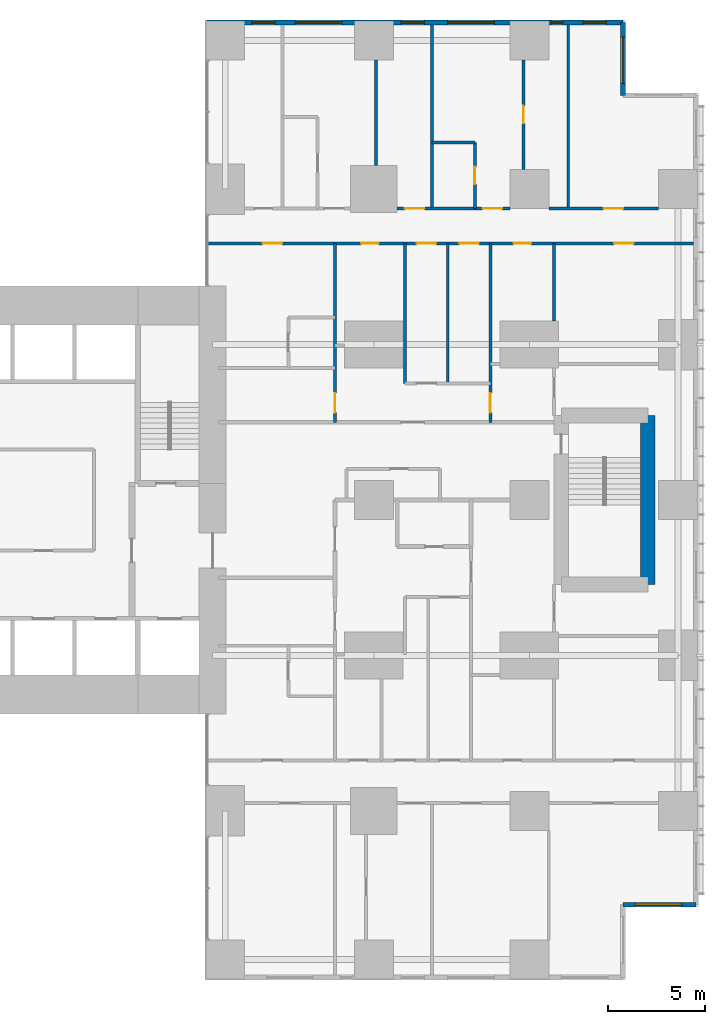
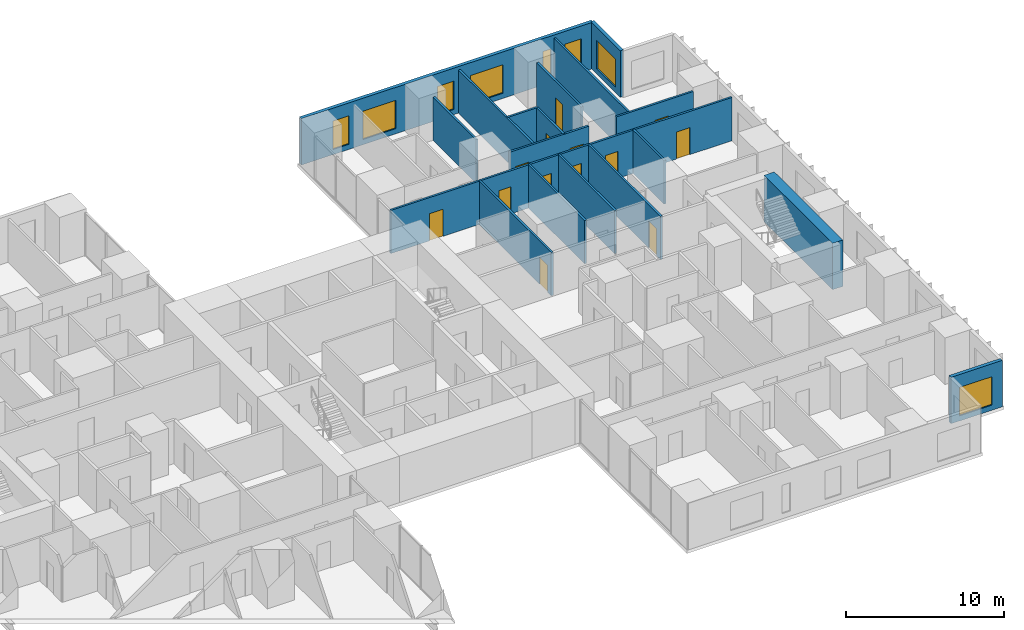
# One storey, part 18 of 20: 18 walls, 13 doors, 8 windows, 21 openings.
"""IFC4 building model written with IfcOpenShell, lengths in metres."""

from ifc_helpers import new_model, si_unit, direction, frame, frame_2d, origin, place, context, subcontext, project, spatial, rectangle, extrude, material, layer, layer_set, type_object, element, fill, save


model = new_model("IFC4")

# Units and contexts
model_context = context("Model", 3, precision=1e-05, world=origin(), true_north=direction((0.0, 1.0)))
body_context = subcontext(model_context, "Body", "Model", "MODEL_VIEW")
ifc_project = project(units=[si_unit("LENGTHUNIT", "METRE"), si_unit("AREAUNIT", "SQUARE_METRE"), si_unit("VOLUMEUNIT", "CUBIC_METRE"), si_unit("PLANEANGLEUNIT", "RADIAN"), si_unit("MASSUNIT", "GRAM", prefix="KILO")], contexts=[model_context])

# Site, building, storey
site_placement = place(None, origin())
site = spatial("IfcSite", under=ifc_project, at=site_placement, CompositionType="ELEMENT")
building_placement = place(site_placement, origin())
building = spatial("IfcBuilding", under=site, at=building_placement, Name="Cleftline Residences", CompositionType="ELEMENT")
storey_placement = place(building_placement, frame((0.0, 0.0, 150.199951171875)))
storey = spatial("IfcBuildingStorey", under=building, at=storey_placement, Name="L39", CompositionType="ELEMENT", Elevation=150.199951171875)

# Wall, opening, window
ifc_material_1 = material(Name="Rendered reinforced concrete blockwork", Category="masonry")
ifc_layer_1 = layer(ifc_material_1, 0.25)
ifc_layer_set_1 = layer_set([ifc_layer_1], Name="EXTERNAL WALL 250")
wall_type_1 = type_object("IfcWallType", Name="EXTERNAL WALL 250", PredefinedType="SOLIDWALL", material=ifc_layer_set_1)
wall_1_placement = place(storey_placement, frame((62.824951171875, 3.175048828125, 0.0), z_axis=(0.0, 0.0, 1.0), x_axis=(1.0, 0.0, 0.0)))
wall_1 = element("IfcWall", 1, at=wall_1_placement, inside=storey, type_object=wall_type_1, Name="External wall", PredefinedType="SOLIDWALL", context=body_context, shape_type="SweptSolid", body=[
    extrude(rectangle(XDim=3.75, YDim=0.25, at=frame_2d((1.875, 0.0))), origin(), (0.0, 0.0, 1.0), 3.60009765625),
])
opening_1_placement = place(wall_1_placement, frame((0.612548828125, 0.0, 0.39990234375)))
opening_1 = element("IfcOpeningElement", 2, at=opening_1_placement, cuts=wall_1, Name="Opening W12", PredefinedType="OPENING", context=body_context, shape_type="SweptSolid", body=[
    extrude(rectangle(XDim=2.39990234375, YDim=2.199951171875, at=frame_2d((1.199951171875, 1.10009765625))), frame((0.0, 0.135009765625, 0.0), z_axis=(0.0, -1.0, 0.0), x_axis=(1.0, 0.0, 0.0)), (0.0, 0.0, 1.0), 0.27001953125),
])
ifc_material_2 = material(Name="Aluminium frame, clear double glazing", Category="aluminium")
window_type_1 = type_object("IfcWindowType", Name="WINDOW 2400X2200", PartitioningType="DOUBLE_PANEL_VERTICAL", PredefinedType="WINDOW", material=ifc_material_2)
window_1_placement = place(opening_1_placement, origin())
window_1 = element("IfcWindow", 3, at=window_1_placement, inside=storey, type_object=window_type_1, Name="Window", OverallHeight=2.199951171875, OverallWidth=2.39990234375, PartitioningType="SINGLE_PANEL", PredefinedType="WINDOW", context=body_context, shape_type="SweptSolid", body=[
    extrude(rectangle(XDim=2.39990234375, YDim=2.199951171875, at=frame_2d((1.199951171875, 1.10009765625))), frame((0.0, 0.030029296875, 0.0), z_axis=(0.0, -1.0, 0.0), x_axis=(1.0, 0.0, 0.0)), (0.0, 0.0, 1.0), 0.06005859375),
])
fill(opening_1, window_1)

wall_2_placement = place(storey_placement, frame((62.824951171875, 44.824951171875, 0.0), z_axis=(0.0, 0.0, 1.0), x_axis=(0.0, 1.0, 0.0)))
wall_2 = element("IfcWall", 4, at=wall_2_placement, inside=storey, type_object=wall_type_1, Name="External wall", PredefinedType="SOLIDWALL", context=body_context, shape_type="SweptSolid", body=[
    extrude(rectangle(XDim=3.75, YDim=0.25, at=frame_2d((1.875, 0.0))), origin(), (0.0, 0.0, 1.0), 3.60009765625),
])
opening_2_placement = place(wall_2_placement, frame((0.612548828125, 0.0, 0.39990234375)))
opening_2 = element("IfcOpeningElement", 5, at=opening_2_placement, cuts=wall_2, Name="Opening W12", PredefinedType="OPENING", context=body_context, shape_type="SweptSolid", body=[
    extrude(rectangle(XDim=2.39990234375, YDim=2.199951171875, at=frame_2d((1.199951171875, 1.10009765625))), frame((0.0, 0.135009765625, 0.0), z_axis=(0.0, -1.0, 0.0), x_axis=(1.0, 0.0, 0.0)), (0.0, 0.0, 1.0), 0.27001953125),
])
window_2_placement = place(opening_2_placement, origin())
window_2 = element("IfcWindow", 6, at=window_2_placement, inside=storey, type_object=window_type_1, Name="Window", OverallHeight=2.199951171875, OverallWidth=2.39990234375, PartitioningType="SINGLE_PANEL", PredefinedType="WINDOW", context=body_context, shape_type="SweptSolid", body=[
    extrude(rectangle(XDim=2.39990234375, YDim=2.199951171875, at=frame_2d((1.199951171875, 1.10009765625))), frame((0.0, 0.030029296875, 0.0), z_axis=(0.0, -1.0, 0.0), x_axis=(1.0, 0.0, 0.0)), (0.0, 0.0, 1.0), 0.06005859375),
])
fill(opening_2, window_2)

# Wall, openings, windows
wall_3_placement = place(storey_placement, frame((62.824951171875, 48.574951171875, 0.0), z_axis=(0.0, 0.0, 1.0), x_axis=(-1.0, 0.0, 0.0)))
wall_3 = element("IfcWall", 7, at=wall_3_placement, inside=storey, type_object=wall_type_1, Name="External wall", PredefinedType="SOLIDWALL", context=body_context, shape_type="SweptSolid", body=[
    extrude(rectangle(XDim=21.39990234375, YDim=0.25, at=frame_2d((10.699951171875, 0.0))), origin(), (0.0, 0.0, 1.0), 3.60009765625),
])
opening_3_placement = place(wall_3_placement, frame((0.875, 0.0, 0.39990234375)))
opening_3 = element("IfcOpeningElement", 8, at=opening_3_placement, cuts=wall_3, Name="Opening W11", PredefinedType="OPENING", context=body_context, shape_type="SweptSolid", body=[
    extrude(rectangle(XDim=1.199951171875, YDim=2.199951171875, at=frame_2d((0.60009765625, 1.10009765625))), frame((0.0, 0.135009765625, 0.0), z_axis=(0.0, -1.0, 0.0), x_axis=(1.0, 0.0, 0.0)), (0.0, 0.0, 1.0), 0.27001953125),
])
opening_4_placement = place(wall_3_placement, frame((3.10009765625, 0.0, 0.39990234375)))
opening_4 = element("IfcOpeningElement", 9, at=opening_4_placement, cuts=wall_3, Name="Opening W10", PredefinedType="OPENING", context=body_context, shape_type="SweptSolid", body=[
    extrude(rectangle(XDim=0.60009765625, YDim=2.199951171875, at=frame_2d((0.300048828125, 1.10009765625))), frame((0.0, 0.135009765625, 0.0), z_axis=(0.0, -1.0, 0.0), x_axis=(1.0, 0.0, 0.0)), (0.0, 0.0, 1.0), 0.27001953125),
])
opening_5_placement = place(wall_3_placement, frame((6.625, 0.0, 0.39990234375)))
opening_5 = element("IfcOpeningElement", 10, at=opening_5_placement, cuts=wall_3, Name="Opening W12", PredefinedType="OPENING", context=body_context, shape_type="SweptSolid", body=[
    extrude(rectangle(XDim=2.39990234375, YDim=2.199951171875, at=frame_2d((1.199951171875, 1.10009765625))), frame((0.0, 0.135009765625, 0.0), z_axis=(0.0, -1.0, 0.0), x_axis=(1.0, 0.0, 0.0)), (0.0, 0.0, 1.0), 0.27001953125),
])
opening_6_placement = place(wall_3_placement, frame((10.22509765625, 0.0, 0.39990234375)))
opening_6 = element("IfcOpeningElement", 11, at=opening_6_placement, cuts=wall_3, Name="Opening W11", PredefinedType="OPENING", context=body_context, shape_type="SweptSolid", body=[
    extrude(rectangle(XDim=1.199951171875, YDim=2.199951171875, at=frame_2d((0.60009765625, 1.10009765625))), frame((0.0, 0.135009765625, 0.0), z_axis=(0.0, -1.0, 0.0), x_axis=(1.0, 0.0, 0.0)), (0.0, 0.0, 1.0), 0.27001953125),
])
opening_7_placement = place(wall_3_placement, frame((14.47509765625, 0.0, 0.39990234375)))
opening_7 = element("IfcOpeningElement", 12, at=opening_7_placement, cuts=wall_3, Name="Opening W12", PredefinedType="OPENING", context=body_context, shape_type="SweptSolid", body=[
    extrude(rectangle(XDim=2.39990234375, YDim=2.199951171875, at=frame_2d((1.199951171875, 1.10009765625))), frame((0.0, 0.135009765625, 0.0), z_axis=(0.0, -1.0, 0.0), x_axis=(1.0, 0.0, 0.0)), (0.0, 0.0, 1.0), 0.27001953125),
])
opening_8_placement = place(wall_3_placement, frame((17.89990234375, 0.0, 0.39990234375)))
opening_8 = element("IfcOpeningElement", 13, at=opening_8_placement, cuts=wall_3, Name="Opening W11", PredefinedType="OPENING", context=body_context, shape_type="SweptSolid", body=[
    extrude(rectangle(XDim=1.199951171875, YDim=2.199951171875, at=frame_2d((0.60009765625, 1.10009765625))), frame((0.0, 0.135009765625, 0.0), z_axis=(0.0, -1.0, 0.0), x_axis=(1.0, 0.0, 0.0)), (0.0, 0.0, 1.0), 0.27001953125),
])
ifc_material_3 = material(Name="Aluminium frame, clear double glazing", Category="aluminium")
window_type_2 = type_object("IfcWindowType", Name="WINDOW 1200X2200", PartitioningType="DOUBLE_PANEL_VERTICAL", PredefinedType="WINDOW", material=ifc_material_3)
window_3_placement = place(opening_3_placement, origin())
window_3 = element("IfcWindow", 14, at=window_3_placement, inside=storey, type_object=window_type_2, Name="Window", OverallHeight=2.199951171875, OverallWidth=1.199951171875, PartitioningType="SINGLE_PANEL", PredefinedType="WINDOW", context=body_context, shape_type="SweptSolid", body=[
    extrude(rectangle(XDim=1.199951171875, YDim=2.199951171875, at=frame_2d((0.60009765625, 1.10009765625))), frame((0.0, 0.030029296875, 0.0), z_axis=(0.0, -1.0, 0.0), x_axis=(1.0, 0.0, 0.0)), (0.0, 0.0, 1.0), 0.06005859375),
])
fill(opening_3, window_3)
window_4_placement = place(opening_6_placement, origin())
window_4 = element("IfcWindow", 15, at=window_4_placement, inside=storey, type_object=window_type_2, Name="Window", OverallHeight=2.199951171875, OverallWidth=1.199951171875, PartitioningType="SINGLE_PANEL", PredefinedType="WINDOW", context=body_context, shape_type="SweptSolid", body=[
    extrude(rectangle(XDim=1.199951171875, YDim=2.199951171875, at=frame_2d((0.60009765625, 1.10009765625))), frame((0.0, 0.030029296875, 0.0), z_axis=(0.0, -1.0, 0.0), x_axis=(1.0, 0.0, 0.0)), (0.0, 0.0, 1.0), 0.06005859375),
])
fill(opening_6, window_4)
window_5_placement = place(opening_8_placement, origin())
window_5 = element("IfcWindow", 16, at=window_5_placement, inside=storey, type_object=window_type_2, Name="Window", OverallHeight=2.199951171875, OverallWidth=1.199951171875, PartitioningType="SINGLE_PANEL", PredefinedType="WINDOW", context=body_context, shape_type="SweptSolid", body=[
    extrude(rectangle(XDim=1.199951171875, YDim=2.199951171875, at=frame_2d((0.60009765625, 1.10009765625))), frame((0.0, 0.030029296875, 0.0), z_axis=(0.0, -1.0, 0.0), x_axis=(1.0, 0.0, 0.0)), (0.0, 0.0, 1.0), 0.06005859375),
])
fill(opening_8, window_5)
window_6_placement = place(opening_5_placement, origin())
window_6 = element("IfcWindow", 17, at=window_6_placement, inside=storey, type_object=window_type_1, Name="Window", OverallHeight=2.199951171875, OverallWidth=2.39990234375, PartitioningType="SINGLE_PANEL", PredefinedType="WINDOW", context=body_context, shape_type="SweptSolid", body=[
    extrude(rectangle(XDim=2.39990234375, YDim=2.199951171875, at=frame_2d((1.199951171875, 1.10009765625))), frame((0.0, 0.030029296875, 0.0), z_axis=(0.0, -1.0, 0.0), x_axis=(1.0, 0.0, 0.0)), (0.0, 0.0, 1.0), 0.06005859375),
])
fill(opening_5, window_6)
window_7_placement = place(opening_7_placement, origin())
window_7 = element("IfcWindow", 18, at=window_7_placement, inside=storey, type_object=window_type_1, Name="Window", OverallHeight=2.199951171875, OverallWidth=2.39990234375, PartitioningType="SINGLE_PANEL", PredefinedType="WINDOW", context=body_context, shape_type="SweptSolid", body=[
    extrude(rectangle(XDim=2.39990234375, YDim=2.199951171875, at=frame_2d((1.199951171875, 1.10009765625))), frame((0.0, 0.030029296875, 0.0), z_axis=(0.0, -1.0, 0.0), x_axis=(1.0, 0.0, 0.0)), (0.0, 0.0, 1.0), 0.06005859375),
])
fill(opening_7, window_7)
ifc_material_4 = material(Name="Aluminium frame, clear double glazing", Category="aluminium")
window_type_3 = type_object("IfcWindowType", Name="WINDOW 600X2200", PartitioningType="DOUBLE_PANEL_VERTICAL", PredefinedType="WINDOW", material=ifc_material_4)
window_8_placement = place(opening_4_placement, origin())
window_8 = element("IfcWindow", 19, at=window_8_placement, inside=storey, type_object=window_type_3, Name="Window", OverallHeight=2.199951171875, OverallWidth=0.60009765625, PartitioningType="SINGLE_PANEL", PredefinedType="WINDOW", context=body_context, shape_type="SweptSolid", body=[
    extrude(rectangle(XDim=0.60009765625, YDim=2.199951171875, at=frame_2d((0.300048828125, 1.10009765625))), frame((0.0, 0.030029296875, 0.0), z_axis=(0.0, -1.0, 0.0), x_axis=(1.0, 0.0, 0.0)), (0.0, 0.0, 1.0), 0.06005859375),
])
fill(opening_4, window_8)

# Wall, openings, doors
ifc_material_5 = material(Name="Gypsum board on steel studs", Category="steel")
ifc_layer_2 = layer(ifc_material_5, 0.14990234375)
ifc_layer_set_2 = layer_set([ifc_layer_2], Name="PARTITION 150")
wall_type_2 = type_object("IfcWallType", Name="PARTITION 150", PredefinedType="PARTITIONING", material=ifc_layer_set_2)
wall_4_placement = place(storey_placement, frame((41.43896484375, 37.199951171875, 0.0), z_axis=(0.0, 0.0, 1.0), x_axis=(1.0, 0.0, 0.0)))
wall_4 = element("IfcWall", 20, at=wall_4_placement, inside=storey, type_object=wall_type_2, Name="Partition", PredefinedType="PARTITIONING", context=body_context, shape_type="SweptSolid", body=[
    extrude(rectangle(XDim=25.010986328125, YDim=0.14990234375, at=frame_2d((12.50537109375, 0.0))), origin(), (0.0, 0.0, 1.0), 3.35009765625),
])
opening_9_placement = place(wall_4_placement, frame((10.760986328125, 0.0, 0.0)))
opening_9 = element("IfcOpeningElement", 21, at=opening_9_placement, cuts=wall_4, Name="Opening D2", PredefinedType="OPENING", context=body_context, shape_type="SweptSolid", body=[
    extrude(rectangle(XDim=1.0, YDim=2.10009765625, at=frame_2d((0.5, 1.050048828125))), frame((0.0, 0.0849609375, 0.0), z_axis=(0.0, -1.0, 0.0), x_axis=(1.0, 0.0, 0.0)), (0.0, 0.0, 1.0), 0.169921875),
])
opening_10_placement = place(wall_4_placement, frame((20.923583984375, 0.0, 0.0)))
opening_10 = element("IfcOpeningElement", 22, at=opening_10_placement, cuts=wall_4, Name="Opening D2", PredefinedType="OPENING", context=body_context, shape_type="SweptSolid", body=[
    extrude(rectangle(XDim=1.0, YDim=2.10009765625, at=frame_2d((0.5, 1.050048828125))), frame((0.0, 0.0849609375, 0.0), z_axis=(0.0, -1.0, 0.0), x_axis=(1.0, 0.0, 0.0)), (0.0, 0.0, 1.0), 0.169921875),
])
opening_11_placement = place(wall_4_placement, frame((15.74853515625, 0.0, 0.0)))
opening_11 = element("IfcOpeningElement", 23, at=opening_11_placement, cuts=wall_4, Name="Opening D1", PredefinedType="OPENING", context=body_context, shape_type="SweptSolid", body=[
    extrude(rectangle(XDim=0.89990234375, YDim=2.10009765625, at=frame_2d((0.449951171875, 1.050048828125))), frame((0.0, 0.0849609375, 0.0), z_axis=(0.0, -1.0, 0.0), x_axis=(1.0, 0.0, 0.0)), (0.0, 0.0, 1.0), 0.169921875),
])
opening_12_placement = place(wall_4_placement, frame((12.9609375, 0.0, 0.0)))
opening_12 = element("IfcOpeningElement", 24, at=opening_12_placement, cuts=wall_4, Name="Opening D2", PredefinedType="OPENING", context=body_context, shape_type="SweptSolid", body=[
    extrude(rectangle(XDim=1.0, YDim=2.10009765625, at=frame_2d((0.5, 1.050048828125))), frame((0.0, 0.0849609375, 0.0), z_axis=(0.0, -1.0, 0.0), x_axis=(1.0, 0.0, 0.0)), (0.0, 0.0, 1.0), 0.169921875),
])
opening_13_placement = place(wall_4_placement, frame((7.910888671875, 0.0, 0.0)))
opening_13 = element("IfcOpeningElement", 25, at=opening_13_placement, cuts=wall_4, Name="Opening D1", PredefinedType="OPENING", context=body_context, shape_type="SweptSolid", body=[
    extrude(rectangle(XDim=0.89990234375, YDim=2.10009765625, at=frame_2d((0.449951171875, 1.050048828125))), frame((0.0, 0.0849609375, 0.0), z_axis=(0.0, -1.0, 0.0), x_axis=(1.0, 0.0, 0.0)), (0.0, 0.0, 1.0), 0.169921875),
])
opening_14_placement = place(wall_4_placement, frame((2.8359375, 0.0, 0.0)))
opening_14 = element("IfcOpeningElement", 26, at=opening_14_placement, cuts=wall_4, Name="Opening D2", PredefinedType="OPENING", context=body_context, shape_type="SweptSolid", body=[
    extrude(rectangle(XDim=1.0, YDim=2.10009765625, at=frame_2d((0.5, 1.050048828125))), frame((0.0, 0.0849609375, 0.0), z_axis=(0.0, -1.0, 0.0), x_axis=(1.0, 0.0, 0.0)), (0.0, 0.0, 1.0), 0.169921875),
])
ifc_material_6 = material(Name="Timber veneer on solid core", Category="wood")
door_type_1 = type_object("IfcDoorType", Name="DOOR 1000X2100", OperationType="SINGLE_SWING_LEFT", PredefinedType="DOOR", material=ifc_material_6)
door_1_placement = place(opening_9_placement, origin())
door_1 = element("IfcDoor", 27, at=door_1_placement, inside=storey, type_object=door_type_1, Name="Door to residence hall", OperationType="SINGLE_SWING_RIGHT", OverallHeight=2.10009765625, OverallWidth=1.0, PredefinedType="DOOR", context=body_context, shape_type="SweptSolid", body=[
    extrude(rectangle(XDim=1.0, YDim=2.10009765625, at=frame_2d((0.5, 1.050048828125))), frame((0.0, 0.02490234375, 0.0), z_axis=(0.0, -1.0, 0.0), x_axis=(1.0, 0.0, 0.0)), (0.0, 0.0, 1.0), 0.050048828125),
])
fill(opening_9, door_1)
door_2_placement = place(opening_10_placement, origin())
door_2 = element("IfcDoor", 28, at=door_2_placement, inside=storey, type_object=door_type_1, Name="Door to master bedroom", OperationType="SINGLE_SWING_LEFT", OverallHeight=2.10009765625, OverallWidth=1.0, PredefinedType="DOOR", context=body_context, shape_type="SweptSolid", body=[
    extrude(rectangle(XDim=1.0, YDim=2.10009765625, at=frame_2d((0.5, 1.050048828125))), frame((0.0, 0.02490234375, 0.0), z_axis=(0.0, -1.0, 0.0), x_axis=(1.0, 0.0, 0.0)), (0.0, 0.0, 1.0), 0.050048828125),
])
fill(opening_10, door_2)
door_3_placement = place(opening_12_placement, origin())
door_3 = element("IfcDoor", 29, at=door_3_placement, inside=storey, type_object=door_type_1, Name="Door to family room", OperationType="SINGLE_SWING_LEFT", OverallHeight=2.10009765625, OverallWidth=1.0, PredefinedType="DOOR", context=body_context, shape_type="SweptSolid", body=[
    extrude(rectangle(XDim=1.0, YDim=2.10009765625, at=frame_2d((0.5, 1.050048828125))), frame((0.0, 0.02490234375, 0.0), z_axis=(0.0, -1.0, 0.0), x_axis=(1.0, 0.0, 0.0)), (0.0, 0.0, 1.0), 0.050048828125),
])
fill(opening_12, door_3)
door_4_placement = place(opening_14_placement, origin())
door_4 = element("IfcDoor", 30, at=door_4_placement, inside=storey, type_object=door_type_1, Name="Door to bedroom 4", OperationType="SINGLE_SWING_RIGHT", OverallHeight=2.10009765625, OverallWidth=1.0, PredefinedType="DOOR", context=body_context, shape_type="SweptSolid", body=[
    extrude(rectangle(XDim=1.0, YDim=2.10009765625, at=frame_2d((0.5, 1.050048828125))), frame((0.0, 0.02490234375, 0.0), z_axis=(0.0, -1.0, 0.0), x_axis=(1.0, 0.0, 0.0)), (0.0, 0.0, 1.0), 0.050048828125),
])
fill(opening_14, door_4)
ifc_material_7 = material(Name="Timber veneer on solid core", Category="wood")
door_type_2 = type_object("IfcDoorType", Name="DOOR 900X2100", OperationType="SINGLE_SWING_LEFT", PredefinedType="DOOR", material=ifc_material_7)
door_5_placement = place(opening_11_placement, origin())
door_5 = element("IfcDoor", 31, at=door_5_placement, inside=storey, type_object=door_type_2, Name="Door to master bathroom", OperationType="SINGLE_SWING_LEFT", OverallHeight=2.10009765625, OverallWidth=0.89990234375, PredefinedType="DOOR", context=body_context, shape_type="SweptSolid", body=[
    extrude(rectangle(XDim=0.89990234375, YDim=2.10009765625, at=frame_2d((0.449951171875, 1.050048828125))), frame((0.0, 0.02490234375, 0.0), z_axis=(0.0, -1.0, 0.0), x_axis=(1.0, 0.0, 0.0)), (0.0, 0.0, 1.0), 0.050048828125),
])
fill(opening_11, door_5)
door_6_placement = place(opening_13_placement, origin())
door_6 = element("IfcDoor", 32, at=door_6_placement, inside=storey, type_object=door_type_2, Name="Door to master dressing room", OperationType="SINGLE_SWING_RIGHT", OverallHeight=2.10009765625, OverallWidth=0.89990234375, PredefinedType="DOOR", context=body_context, shape_type="SweptSolid", body=[
    extrude(rectangle(XDim=0.89990234375, YDim=2.10009765625, at=frame_2d((0.449951171875, 1.050048828125))), frame((0.0, 0.02490234375, 0.0), z_axis=(0.0, -1.0, 0.0), x_axis=(1.0, 0.0, 0.0)), (0.0, 0.0, 1.0), 0.050048828125),
])
fill(opening_13, door_6)

wall_5_placement = place(storey_placement, frame((51.199951171875, 39.0, 0.0), z_axis=(0.0, 0.0, 1.0), x_axis=(1.0, 0.0, 0.0)))
wall_5 = element("IfcWall", 33, at=wall_5_placement, inside=storey, type_object=wall_type_2, Name="Partition", PredefinedType="PARTITIONING", context=body_context, shape_type="SweptSolid", body=[
    extrude(rectangle(XDim=5.800048828125, YDim=0.14990234375, at=frame_2d((2.89990234375, 0.0))), origin(), (0.0, 0.0, 1.0), 3.35009765625),
])
opening_15_placement = place(wall_5_placement, frame((4.39990234375, 0.0, 0.0)))
opening_15 = element("IfcOpeningElement", 34, at=opening_15_placement, cuts=wall_5, Name="Opening D2", PredefinedType="OPENING", context=body_context, shape_type="SweptSolid", body=[
    extrude(rectangle(XDim=1.0, YDim=2.10009765625, at=frame_2d((0.5, 1.050048828125))), frame((0.0, 0.0849609375, 0.0), z_axis=(0.0, -1.0, 0.0), x_axis=(1.0, 0.0, 0.0)), (0.0, 0.0, 1.0), 0.169921875),
])
opening_16_placement = place(wall_5_placement, frame((0.39990234375, 0.0, 0.0)))
opening_16 = element("IfcOpeningElement", 35, at=opening_16_placement, cuts=wall_5, Name="Opening D2", PredefinedType="OPENING", context=body_context, shape_type="SweptSolid", body=[
    extrude(rectangle(XDim=1.0, YDim=2.10009765625, at=frame_2d((0.5, 1.050048828125))), frame((0.0, 0.0849609375, 0.0), z_axis=(0.0, -1.0, 0.0), x_axis=(1.0, 0.0, 0.0)), (0.0, 0.0, 1.0), 0.169921875),
])
door_7_placement = place(opening_15_placement, origin())
door_7 = element("IfcDoor", 36, at=door_7_placement, inside=storey, type_object=door_type_1, Name="Door to bedroom 2", OperationType="SINGLE_SWING_LEFT", OverallHeight=2.10009765625, OverallWidth=1.0, PredefinedType="DOOR", context=body_context, shape_type="SweptSolid", body=[
    extrude(rectangle(XDim=1.0, YDim=2.10009765625, at=frame_2d((0.5, 1.050048828125))), frame((0.0, 0.02490234375, 0.0), z_axis=(0.0, -1.0, 0.0), x_axis=(1.0, 0.0, 0.0)), (0.0, 0.0, 1.0), 0.050048828125),
])
fill(opening_15, door_7)
door_8_placement = place(opening_16_placement, origin())
door_8 = element("IfcDoor", 37, at=door_8_placement, inside=storey, type_object=door_type_1, Name="Door to bedroom 3 sitting room", OperationType="SINGLE_SWING_RIGHT", OverallHeight=2.10009765625, OverallWidth=1.0, PredefinedType="DOOR", context=body_context, shape_type="SweptSolid", body=[
    extrude(rectangle(XDim=1.0, YDim=2.10009765625, at=frame_2d((0.5, 1.050048828125))), frame((0.0, 0.02490234375, 0.0), z_axis=(0.0, -1.0, 0.0), x_axis=(1.0, 0.0, 0.0)), (0.0, 0.0, 1.0), 0.050048828125),
])
fill(opening_16, door_8)

# Wall, opening, door
wall_6_placement = place(storey_placement, frame((59.0, 39.0, 0.0), z_axis=(0.0, 0.0, 1.0), x_axis=(1.0, 0.0, 0.0)))
wall_6 = element("IfcWall", 38, at=wall_6_placement, inside=storey, type_object=wall_type_2, Name="Partition", PredefinedType="PARTITIONING", context=body_context, shape_type="SweptSolid", body=[
    extrude(rectangle(XDim=5.64990234375, YDim=0.14990234375, at=frame_2d((2.824951171875, 0.0))), origin(), (0.0, 0.0, 1.0), 3.35009765625),
])
opening_17_placement = place(wall_6_placement, frame((2.824951171875, 0.0, 0.0)))
opening_17 = element("IfcOpeningElement", 39, at=opening_17_placement, cuts=wall_6, Name="Opening D2", PredefinedType="OPENING", context=body_context, shape_type="SweptSolid", body=[
    extrude(rectangle(XDim=1.0, YDim=2.10009765625, at=frame_2d((0.5, 1.050048828125))), frame((0.0, 0.0849609375, 0.0), z_axis=(0.0, -1.0, 0.0), x_axis=(1.0, 0.0, 0.0)), (0.0, 0.0, 1.0), 0.169921875),
])
door_9_placement = place(opening_17_placement, origin())
door_9 = element("IfcDoor", 40, at=door_9_placement, inside=storey, type_object=door_type_1, Name="Door to gym", OperationType="SINGLE_SWING_LEFT", OverallHeight=2.10009765625, OverallWidth=1.0, PredefinedType="DOOR", context=body_context, shape_type="SweptSolid", body=[
    extrude(rectangle(XDim=1.0, YDim=2.10009765625, at=frame_2d((0.5, 1.050048828125))), frame((0.0, 0.02490234375, 0.0), z_axis=(0.0, -1.0, 0.0), x_axis=(1.0, 0.0, 0.0)), (0.0, 0.0, 1.0), 0.050048828125),
])
fill(opening_17, door_9)

# Wall
wall_7_placement = place(storey_placement, frame((53.0, 42.39990234375, 0.0), z_axis=(0.0, 0.0, 1.0), x_axis=(1.0, 0.0, 0.0)))
element("IfcWall", 41, at=wall_7_placement, inside=storey, type_object=wall_type_2, Name="Partition", PredefinedType="PARTITIONING", context=body_context, shape_type="SweptSolid", body=[
    extrude(rectangle(XDim=2.199951171875, YDim=0.14990234375, at=frame_2d((1.10009765625, 0.0))), origin(), (0.0, 0.0, 1.0), 3.35009765625),
])

# Wall, opening, door
wall_8_placement = place(storey_placement, frame((48.0, 28.0, 0.0), z_axis=(0.0, 0.0, 1.0), x_axis=(0.0, 1.0, 0.0)))
wall_8 = element("IfcWall", 42, at=wall_8_placement, inside=storey, type_object=wall_type_2, Name="Partition", PredefinedType="PARTITIONING", context=body_context, shape_type="SweptSolid", body=[
    extrude(rectangle(XDim=9.199951171875, YDim=0.14990234375, at=frame_2d((4.60009765625, 0.0))), origin(), (0.0, 0.0, 1.0), 3.35009765625),
])
opening_18_placement = place(wall_8_placement, frame((0.5, 0.0, 0.0)))
opening_18 = element("IfcOpeningElement", 43, at=opening_18_placement, cuts=wall_8, Name="Opening D2", PredefinedType="OPENING", context=body_context, shape_type="SweptSolid", body=[
    extrude(rectangle(XDim=1.0, YDim=2.10009765625, at=frame_2d((0.5, 1.050048828125))), frame((0.0, 0.0849609375, 0.0), z_axis=(0.0, -1.0, 0.0), x_axis=(1.0, 0.0, 0.0)), (0.0, 0.0, 1.0), 0.169921875),
])
door_10_placement = place(opening_18_placement, origin())
door_10 = element("IfcDoor", 44, at=door_10_placement, inside=storey, type_object=door_type_1, Name="Door to morning kitchen", OperationType="SINGLE_SWING_RIGHT", OverallHeight=2.10009765625, OverallWidth=1.0, PredefinedType="DOOR", context=body_context, shape_type="SweptSolid", body=[
    extrude(rectangle(XDim=1.0, YDim=2.10009765625, at=frame_2d((0.5, 1.050048828125))), frame((0.0, 0.02490234375, 0.0), z_axis=(0.0, -1.0, 0.0), x_axis=(1.0, 0.0, 0.0)), (0.0, 0.0, 1.0), 0.050048828125),
])
fill(opening_18, door_10)

# Walls
wall_9_placement = place(storey_placement, frame((50.10009765625, 41.199951171875, 0.0), z_axis=(0.0, 0.0, 1.0), x_axis=(0.0, 1.0, 0.0)))
element("IfcWall", 45, at=wall_9_placement, inside=storey, type_object=wall_type_2, Name="Partition", PredefinedType="PARTITIONING", context=body_context, shape_type="SweptSolid", body=[
    extrude(rectangle(XDim=5.449951171875, YDim=0.14990234375, at=frame_2d((2.72509765625, 0.0))), origin(), (0.0, 0.0, 1.0), 3.35009765625),
])
wall_10_placement = place(storey_placement, frame((51.60009765625, 30.0, 0.0), z_axis=(0.0, 0.0, 1.0), x_axis=(0.0, 1.0, 0.0)))
element("IfcWall", 46, at=wall_10_placement, inside=storey, type_object=wall_type_2, Name="Partition", PredefinedType="PARTITIONING", context=body_context, shape_type="SweptSolid", body=[
    extrude(rectangle(XDim=7.199951171875, YDim=0.14990234375, at=frame_2d((3.60009765625, 0.0))), origin(), (0.0, 0.0, 1.0), 3.35009765625),
])
wall_11_placement = place(storey_placement, frame((53.0, 39.0, 0.0), z_axis=(0.0, 0.0, 1.0), x_axis=(0.0, 1.0, 0.0)))
element("IfcWall", 47, at=wall_11_placement, inside=storey, type_object=wall_type_2, Name="Partition", PredefinedType="PARTITIONING", context=body_context, shape_type="SweptSolid", body=[
    extrude(rectangle(XDim=9.449951171875, YDim=0.14990234375, at=frame_2d((4.72509765625, 0.0))), origin(), (0.0, 0.0, 1.0), 3.35009765625),
])
wall_12_placement = place(storey_placement, frame((53.800048828125, 30.0, 0.0), z_axis=(0.0, 0.0, 1.0), x_axis=(0.0, 1.0, 0.0)))
element("IfcWall", 48, at=wall_12_placement, inside=storey, type_object=wall_type_2, Name="Partition", PredefinedType="PARTITIONING", context=body_context, shape_type="SweptSolid", body=[
    extrude(rectangle(XDim=7.199951171875, YDim=0.14990234375, at=frame_2d((3.60009765625, 0.0))), origin(), (0.0, 0.0, 1.0), 3.35009765625),
])

# Wall, opening, door
wall_13_placement = place(storey_placement, frame((55.199951171875, 39.0, 0.0), z_axis=(0.0, 0.0, 1.0), x_axis=(0.0, 1.0, 0.0)))
wall_13 = element("IfcWall", 49, at=wall_13_placement, inside=storey, type_object=wall_type_2, Name="Partition", PredefinedType="PARTITIONING", context=body_context, shape_type="SweptSolid", body=[
    extrude(rectangle(XDim=3.39990234375, YDim=0.14990234375, at=frame_2d((1.699951171875, 0.0))), origin(), (0.0, 0.0, 1.0), 3.35009765625),
])
opening_19_placement = place(wall_13_placement, frame((1.25, 0.0, 0.0)))
opening_19 = element("IfcOpeningElement", 50, at=opening_19_placement, cuts=wall_13, Name="Opening D1", PredefinedType="OPENING", context=body_context, shape_type="SweptSolid", body=[
    extrude(rectangle(XDim=0.89990234375, YDim=2.10009765625, at=frame_2d((0.449951171875, 1.050048828125))), frame((0.0, 0.0849609375, 0.0), z_axis=(0.0, -1.0, 0.0), x_axis=(1.0, 0.0, 0.0)), (0.0, 0.0, 1.0), 0.169921875),
])
door_11_placement = place(opening_19_placement, origin())
door_11 = element("IfcDoor", 51, at=door_11_placement, inside=storey, type_object=door_type_2, Name="Door to en-suite bathroom 2", OperationType="SINGLE_SWING_LEFT", OverallHeight=2.10009765625, OverallWidth=0.89990234375, PredefinedType="DOOR", context=body_context, shape_type="SweptSolid", body=[
    extrude(rectangle(XDim=0.89990234375, YDim=2.10009765625, at=frame_2d((0.449951171875, 1.050048828125))), frame((0.0, 0.02490234375, 0.0), z_axis=(0.0, -1.0, 0.0), x_axis=(1.0, 0.0, 0.0)), (0.0, 0.0, 1.0), 0.050048828125),
])
fill(opening_19, door_11)

wall_14_placement = place(storey_placement, frame((56.0, 28.0, 0.0), z_axis=(0.0, 0.0, 1.0), x_axis=(0.0, 1.0, 0.0)))
wall_14 = element("IfcWall", 52, at=wall_14_placement, inside=storey, type_object=wall_type_2, Name="Partition", PredefinedType="PARTITIONING", context=body_context, shape_type="SweptSolid", body=[
    extrude(rectangle(XDim=9.199951171875, YDim=0.14990234375, at=frame_2d((4.60009765625, 0.0))), origin(), (0.0, 0.0, 1.0), 3.35009765625),
])
opening_20_placement = place(wall_14_placement, frame((0.5, 0.0, 0.0)))
opening_20 = element("IfcOpeningElement", 53, at=opening_20_placement, cuts=wall_14, Name="Opening D2F30", PredefinedType="OPENING", context=body_context, shape_type="SweptSolid", body=[
    extrude(rectangle(XDim=1.0, YDim=2.10009765625, at=frame_2d((0.5, 1.050048828125))), frame((0.0, 0.0849609375, 0.0), z_axis=(0.0, -1.0, 0.0), x_axis=(1.0, 0.0, 0.0)), (0.0, 0.0, 1.0), 0.169921875),
])
ifc_material_8 = material(Name="Timber veneer on solid core", Category="wood")
door_type_3 = type_object("IfcDoorType", Name="DOOR 1000X2100 EI 30", OperationType="SINGLE_SWING_LEFT", PredefinedType="DOOR", material=ifc_material_8)
door_12_placement = place(opening_20_placement, origin())
door_12 = element("IfcDoor", 54, at=door_12_placement, inside=storey, type_object=door_type_3, Name="Door to residence lobby (service)", OperationType="SINGLE_SWING_RIGHT", OverallHeight=2.10009765625, OverallWidth=1.0, PredefinedType="DOOR", context=body_context, shape_type="SweptSolid", body=[
    extrude(rectangle(XDim=1.0, YDim=2.10009765625, at=frame_2d((0.5, 1.050048828125))), frame((0.0, 0.02490234375, 0.0), z_axis=(0.0, -1.0, 0.0), x_axis=(1.0, 0.0, 0.0)), (0.0, 0.0, 1.0), 0.050048828125),
])
fill(opening_20, door_12)

wall_15_placement = place(storey_placement, frame((57.699951171875, 41.0, 0.0), z_axis=(0.0, 0.0, 1.0), x_axis=(0.0, 1.0, 0.0)))
wall_15 = element("IfcWall", 55, at=wall_15_placement, inside=storey, type_object=wall_type_2, Name="Partition", PredefinedType="PARTITIONING", context=body_context, shape_type="SweptSolid", body=[
    extrude(rectangle(XDim=5.64990234375, YDim=0.14990234375, at=frame_2d((2.824951171875, 0.0))), origin(), (0.0, 0.0, 1.0), 3.35009765625),
])
opening_21_placement = place(wall_15_placement, frame((2.375, 0.0, 0.0)))
opening_21 = element("IfcOpeningElement", 56, at=opening_21_placement, cuts=wall_15, Name="Opening D1", PredefinedType="OPENING", context=body_context, shape_type="SweptSolid", body=[
    extrude(rectangle(XDim=0.89990234375, YDim=2.10009765625, at=frame_2d((0.449951171875, 1.050048828125))), frame((0.0, 0.0849609375, 0.0), z_axis=(0.0, -1.0, 0.0), x_axis=(1.0, 0.0, 0.0)), (0.0, 0.0, 1.0), 0.169921875),
])
door_13_placement = place(opening_21_placement, origin())
door_13 = element("IfcDoor", 57, at=door_13_placement, inside=storey, type_object=door_type_2, Name="Door to walk-in wardrobe", OperationType="SINGLE_SWING_LEFT", OverallHeight=2.10009765625, OverallWidth=0.89990234375, PredefinedType="DOOR", context=body_context, shape_type="SweptSolid", body=[
    extrude(rectangle(XDim=0.89990234375, YDim=2.10009765625, at=frame_2d((0.449951171875, 1.050048828125))), frame((0.0, 0.02490234375, 0.0), z_axis=(0.0, -1.0, 0.0), x_axis=(1.0, 0.0, 0.0)), (0.0, 0.0, 1.0), 0.050048828125),
])
fill(opening_21, door_13)

# Walls
wall_16_placement = place(storey_placement, frame((59.27490234375, 33.199951171875, 0.0), z_axis=(0.0, 0.0, 1.0), x_axis=(0.0, 1.0, 0.0)))
element("IfcWall", 58, at=wall_16_placement, inside=storey, type_object=wall_type_2, Name="Partition", PredefinedType="PARTITIONING", context=body_context, shape_type="SweptSolid", body=[
    extrude(rectangle(XDim=4.0, YDim=0.14990234375, at=frame_2d((2.0, 0.0))), origin(), (0.0, 0.0, 1.0), 3.35009765625),
])
wall_17_placement = place(storey_placement, frame((60.0, 39.0, 0.0), z_axis=(0.0, 0.0, 1.0), x_axis=(0.0, 1.0, 0.0)))
element("IfcWall", 59, at=wall_17_placement, inside=storey, type_object=wall_type_2, Name="Partition", PredefinedType="PARTITIONING", context=body_context, shape_type="SweptSolid", body=[
    extrude(rectangle(XDim=9.449951171875, YDim=0.14990234375, at=frame_2d((4.72509765625, 0.0))), origin(), (0.0, 0.0, 1.0), 3.35009765625),
])
ifc_material_9 = material(Name="Concrete B70", Category="concrete")
ifc_layer_3 = layer(ifc_material_9, 0.75)
ifc_layer_set_3 = layer_set([ifc_layer_3], Name="SHEAR WALL 750")
wall_type_3 = type_object("IfcWallType", Name="SHEAR WALL 750", PredefinedType="SHEAR", material=ifc_layer_set_3)
wall_18_placement = place(storey_placement, frame((64.10009765625, 19.64990234375, 0.0), z_axis=(0.0, 0.0, 1.0), x_axis=(0.0, 1.0, 0.0)))
element("IfcWall", 60, at=wall_18_placement, inside=storey, type_object=wall_type_3, Name="Wing shear wall", PredefinedType="SHEAR", context=body_context, shape_type="SweptSolid", body=[
    extrude(rectangle(XDim=8.7001953125, YDim=0.75, at=frame_2d((4.35009765625, 0.0))), origin(), (0.0, 0.0, 1.0), 3.60009765625),
])

save(model, "model.ifc")
